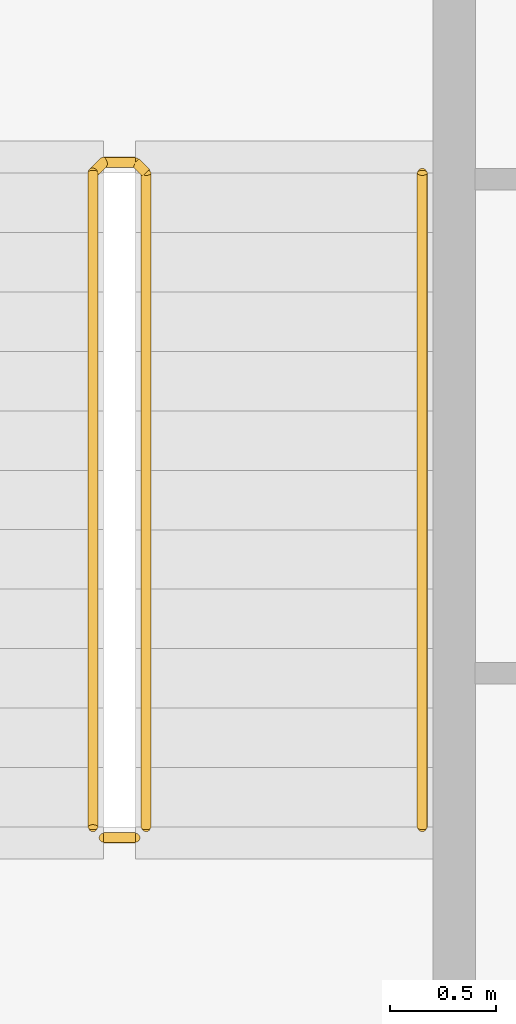
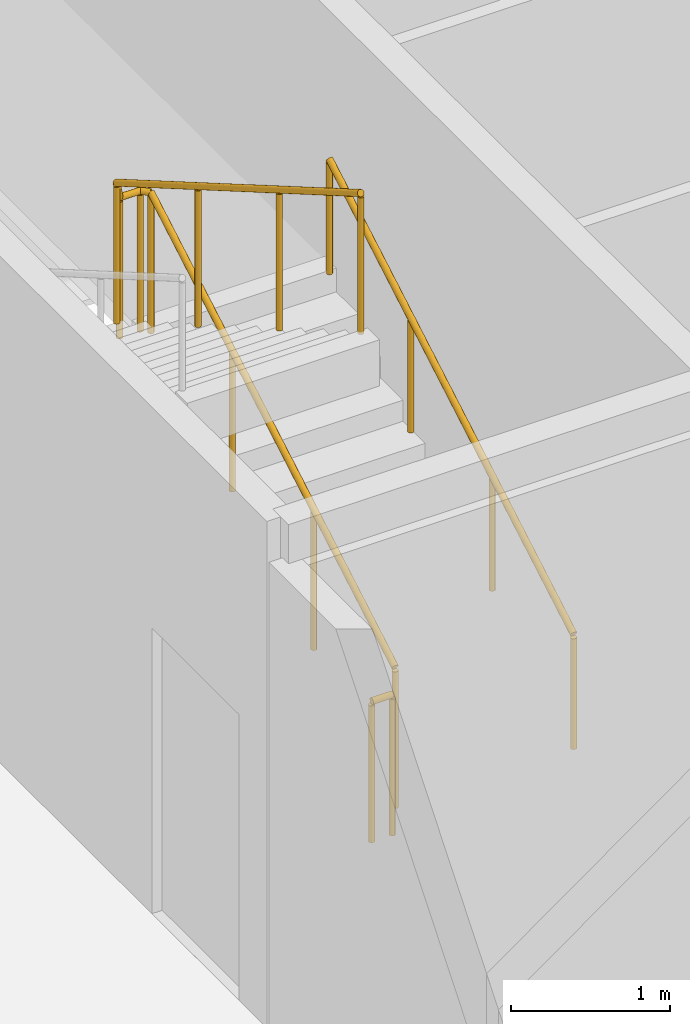
# One storey, part 20 of 21: 3 railings.
"""IFC4 building model written with IfcOpenShell, lengths in metres."""

from ifc_helpers import new_model, si_unit, direction, frame, origin, origin_2d, place, context, subcontext, project, spatial, circle, extrude, material, type_object, element, save


model = new_model("IFC4")

# Units and contexts
model_context = context("Model", 3, precision=1e-05, world=origin(), true_north=direction((0.0, 1.0)))
body_context = subcontext(model_context, "Body", "Model", "MODEL_VIEW")
ifc_project = project(units=[si_unit("LENGTHUNIT", "METRE"), si_unit("AREAUNIT", "SQUARE_METRE"), si_unit("VOLUMEUNIT", "CUBIC_METRE"), si_unit("PLANEANGLEUNIT", "RADIAN"), si_unit("MASSUNIT", "GRAM", prefix="KILO")], contexts=[model_context])

# Site, building, storey
site_placement = place(None, origin())
site = spatial("IfcSite", under=ifc_project, at=site_placement, CompositionType="ELEMENT")
building_placement = place(site_placement, origin())
building = spatial("IfcBuilding", under=site, at=building_placement, Name="Kheshtan School and Residences Tower", CompositionType="ELEMENT")
storey_placement = place(building_placement, frame((0.0, 0.0, 305.89990234375)))
storey = spatial("IfcBuildingStorey", under=building, at=storey_placement, Name="L72", CompositionType="ELEMENT", Elevation=305.89990234375)

# Railings
ifc_material_1 = material(Name="Stainless steel balustrade", Category="steel")
railing_type_1 = type_object("IfcRailingType", Name="Stair guard 1100", PredefinedType="GUARDRAIL", material=ifc_material_1)
railing_1_placement = place(storey_placement, frame((35.0, 80.89990234375, 0.16259765625)))
element("IfcRailing", 1, at=railing_1_placement, inside=storey, type_object=railing_type_1, Name="L72 ST3 stair guard 1", PredefinedType="GUARDRAIL", context=body_context, shape_type="SweptSolid", body=[
    extrude(circle(Radius=0.02392578125, at=origin_2d()), frame((0.0, 0.0, 1.076171875), z_axis=(0.0, 0.864890721111, 0.501960198159), x_axis=(-1.0, 0.0, 0.0)), (0.0, 0.0, 1.0), 3.561279296875),
    extrude(circle(Radius=0.02392578125, at=origin_2d()), frame((0.0, 3.080078125, 2.86376953125), z_axis=(-0.707106781187, 0.707106781187, 0.0), x_axis=(-0.707106781187, -0.707106781187, 0.0)), (0.0, 0.0, 1.0), 0.07080078125),
    extrude(circle(Radius=0.02392578125, at=origin_2d()), frame((-0.050048828125, 3.130126953125, 2.86376953125), z_axis=(-1.0, 0.0, 0.0), x_axis=(0.0, -1.0, 0.0)), (0.0, 0.0, 1.0), 0.14990234375),
    extrude(circle(Radius=0.02392578125, at=origin_2d()), frame((-0.199951171875, 3.130126953125, 2.86376953125), z_axis=(-0.282583949758, -0.282583949758, 0.916674763849), x_axis=(0.707106781187, -0.707106781187, 0.0)), (0.0, 0.0, 1.0), 0.177001953125),
    extrude(circle(Radius=0.02392578125, at=origin_2d()), frame((-0.25, 3.080078125, 3.02587890625), z_axis=(0.0, -0.864890721111, 0.501960198159), x_axis=(1.0, 0.0, 0.0)), (0.0, 0.0, 1.0), 3.561279296875),
    extrude(circle(Radius=0.02099609375, at=origin_2d()), origin(), (0.0, 0.0, 1.0), 1.052001953125),
    extrude(circle(Radius=0.02099609375, at=origin_2d()), frame((0.0, 1.026611328125, 0.595947265625)), (0.0, 0.0, 1.0), 1.052001953125),
    extrude(circle(Radius=0.02099609375, at=origin_2d()), frame((0.0, 2.053466796875, 1.191650390625)), (0.0, 0.0, 1.0), 1.052001953125),
    extrude(circle(Radius=0.02099609375, at=origin_2d()), frame((0.0, 3.080078125, 1.78759765625)), (0.0, 0.0, 1.0), 1.052001953125),
    extrude(circle(Radius=0.02099609375, at=origin_2d()), frame((-0.050048828125, 3.130126953125, 1.78759765625)), (0.0, 0.0, 1.0), 1.052001953125),
    extrude(circle(Radius=0.02099609375, at=origin_2d()), frame((-0.199951171875, 3.130126953125, 1.78759765625)), (0.0, 0.0, 1.0), 1.052001953125),
    extrude(circle(Radius=0.02099609375, at=origin_2d()), frame((-0.25, 3.080078125, 1.949951171875)), (0.0, 0.0, 1.0), 1.052001953125),
    extrude(circle(Radius=0.02099609375, at=origin_2d()), frame((-0.25, 2.053466796875, 2.5458984375)), (0.0, 0.0, 1.0), 1.052001953125),
    extrude(circle(Radius=0.02099609375, at=origin_2d()), frame((-0.25, 1.026611328125, 3.1416015625)), (0.0, 0.0, 1.0), 1.052001953125),
    extrude(circle(Radius=0.02099609375, at=origin_2d()), frame((-0.25, 0.0, 3.737548828125)), (0.0, 0.0, 1.0), 1.052001953125),
])
railing_2_placement = place(storey_placement, frame((34.949951171875, 80.85009765625, 0.0)))
element("IfcRailing", 2, at=railing_2_placement, inside=storey, type_object=railing_type_1, Name="L72 ST3 stair guard 2", PredefinedType="GUARDRAIL", context=body_context, shape_type="SweptSolid", body=[
    extrude(circle(Radius=0.02392578125, at=origin_2d()), frame((0.0, 0.0, 1.076171875), z_axis=(-1.0, 0.0, 0.0), x_axis=(0.0, -1.0, 0.0)), (0.0, 0.0, 1.0), 0.14990234375),
    extrude(circle(Radius=0.02099609375, at=origin_2d()), origin(), (0.0, 0.0, 1.0), 1.052001953125),
    extrude(circle(Radius=0.02099609375, at=origin_2d()), frame((-0.14990234375, 0.0, 0.0)), (0.0, 0.0, 1.0), 1.052001953125),
])
ifc_material_2 = material(Name="Stainless steel handrail", Category="steel")
railing_type_2 = type_object("IfcRailingType", Name="Stair handrail 900", PredefinedType="HANDRAIL", material=ifc_material_2)
railing_3_placement = place(storey_placement, frame((36.300048828125, 80.89990234375, 0.16259765625)))
element("IfcRailing", 3, at=railing_3_placement, inside=storey, type_object=railing_type_2, Name="L72 ST3 stair handrail 1", PredefinedType="HANDRAIL", context=body_context, shape_type="SweptSolid", body=[
    extrude(circle(Radius=0.02392578125, at=origin_2d()), frame((0.0, 0.0, 0.8759765625), z_axis=(0.0, 0.864890721111, 0.501960198159), x_axis=(-1.0, 0.0, 0.0)), (0.0, 0.0, 1.0), 3.561279296875),
    extrude(circle(Radius=0.02099609375, at=origin_2d()), origin(), (0.0, 0.0, 1.0), 0.851806640625),
    extrude(circle(Radius=0.02099609375, at=origin_2d()), frame((0.0, 1.026611328125, 0.595947265625)), (0.0, 0.0, 1.0), 0.851806640625),
    extrude(circle(Radius=0.02099609375, at=origin_2d()), frame((0.0, 2.053466796875, 1.191650390625)), (0.0, 0.0, 1.0), 0.851806640625),
    extrude(circle(Radius=0.02099609375, at=origin_2d()), frame((0.0, 3.080078125, 1.78759765625)), (0.0, 0.0, 1.0), 0.851806640625),
])

save(model, "model.ifc")
